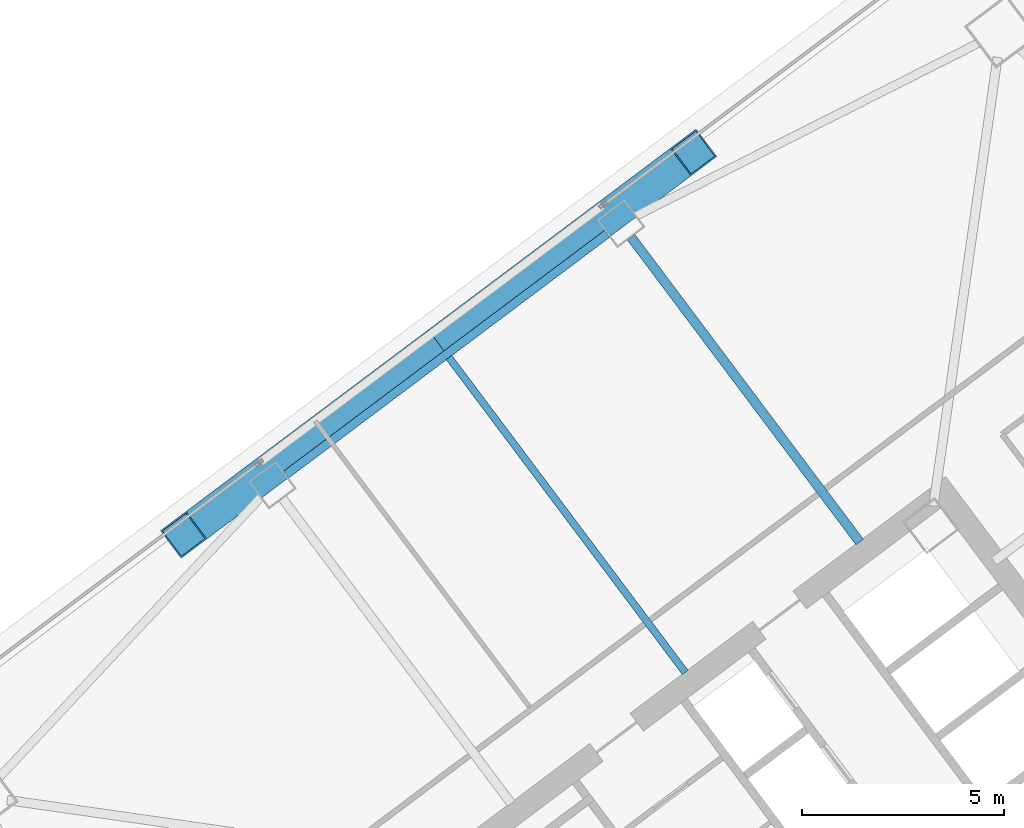
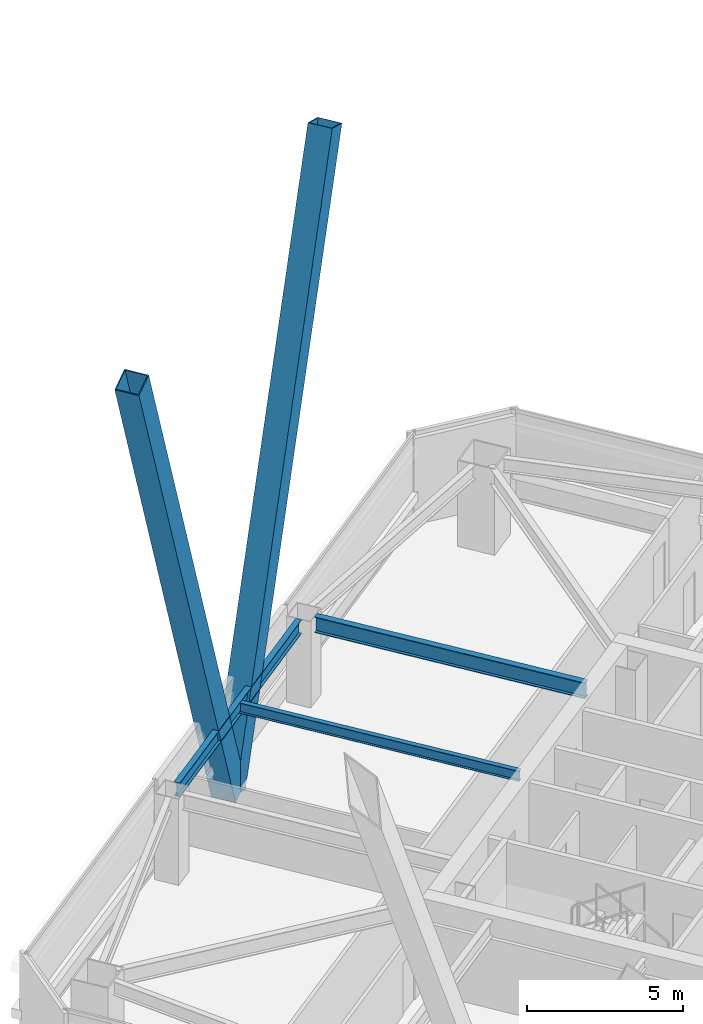
# One storey, part 34 of 50: 3 beams, 2 members.
"""IFC4 building model written with IfcOpenShell, lengths in metres."""

from ifc_helpers import new_model, si_unit, direction, frame, origin, origin_2d, place, context, subcontext, project, spatial, hollow_rectangle, i_section, extrude, material, material_profile, profile_set, type_object, element, save


model = new_model("IFC4")

# Units and contexts
model_context = context("Model", 3, precision=1e-05, world=origin(), true_north=direction((0.0, 1.0)))
body_context = subcontext(model_context, "Body", "Model", "MODEL_VIEW")
ifc_project = project(units=[si_unit("LENGTHUNIT", "METRE"), si_unit("AREAUNIT", "SQUARE_METRE"), si_unit("VOLUMEUNIT", "CUBIC_METRE"), si_unit("PLANEANGLEUNIT", "RADIAN"), si_unit("MASSUNIT", "GRAM", prefix="KILO")], contexts=[model_context])

# Site, building, storey
site_placement = place(None, origin())
site = spatial("IfcSite", under=ifc_project, at=site_placement, CompositionType="ELEMENT")
building_placement = place(site_placement, origin())
building = spatial("IfcBuilding", under=site, at=building_placement, Name="Tashvorn Skyway Center", CompositionType="ELEMENT")
storey_placement = place(building_placement, frame((0.0, 0.0, 114.39990234375)))
storey = spatial("IfcBuildingStorey", under=building, at=storey_placement, Name="L30", CompositionType="ELEMENT", Elevation=114.39990234375)

# Beams
ifc_material_1 = material(Name="Steel ASTM A992 Grade 50", Category="steel")
ifc_material_profile_1 = material_profile(ifc_material_1, i_section(OverallWidth=0.22998046875, OverallDepth=0.616943359375, WebThickness=0.01318359375, FlangeThickness=0.022216796875, at=origin_2d()), Name="W24X94")
ifc_profile_set_1 = profile_set([ifc_material_profile_1], Name="Steel ASTM A992 Grade 50")
beam_type_1 = type_object("IfcBeamType", Name="BM-BEAM-W24X94", PredefinedType="BEAM", material=ifc_profile_set_1)
beam_1_placement = place(storey_placement, frame((107.98193359375, 49.02392578125, 3.0615234375), z_axis=(0.600020667896, -0.799984498661, 0.0), x_axis=(0.799984498661, 0.600020667896, 0.0)))
element("IfcBeam", 1, at=beam_1_placement, inside=storey, type_object=beam_type_1, Name="Tower 2 L30 Primary Floor Girder FC-N1", PredefinedType="BEAM", context=body_context, shape_type="SweptSolid", body=[
    extrude(i_section(OverallWidth=0.22998046875, OverallDepth=0.616943359375, WebThickness=0.01318359375, FlangeThickness=0.022216796875, at=origin_2d()), origin(), (0.0, 0.0, 1.0), 9.449951171875),
])
ifc_material_profile_2 = material_profile(ifc_material_1, i_section(OverallWidth=0.177978515625, OverallDepth=0.406005859375, WebThickness=0.0078125, FlangeThickness=0.0126953125, at=origin_2d()), Name="W16X40")
ifc_profile_set_2 = profile_set([ifc_material_profile_2], Name="Steel ASTM A992 Grade 50")
beam_type_2 = type_object("IfcBeamType", Name="BM-JOIST-W16X40", PredefinedType="JOIST", material=ifc_profile_set_2)
beam_2_placement = place(storey_placement, frame((109.325927734375, 38.23193359375, 3.1669921875), z_axis=(-0.599991997409, 0.800006001881, 0.0), x_axis=(-0.800006001881, -0.599991997409, 0.0)))
element("IfcBeam", 2, at=beam_2_placement, inside=storey, type_object=beam_type_2, Name="Tower 2 L30 Secondary Composite Joist JN", PredefinedType="JOIST", context=body_context, shape_type="SweptSolid", body=[
    extrude(i_section(OverallWidth=0.177978515625, OverallDepth=0.406005859375, WebThickness=0.0078125, FlangeThickness=0.0126953125, at=origin_2d()), origin(), (0.0, 0.0, 1.0), 9.762451171875),
])
ifc_material_profile_3 = material_profile(ifc_material_1, i_section(OverallWidth=0.2109375, OverallDepth=0.5390625, WebThickness=0.01171875, FlangeThickness=0.018798828125, at=origin_2d()), Name="W21X73")
ifc_profile_set_3 = profile_set([ifc_material_profile_3], Name="Steel ASTM A992 Grade 50")
beam_type_3 = type_object("IfcBeamType", Name="BM-SPANDREL-W21X73", PredefinedType="SPANDREL", material=ifc_profile_set_3)
beam_3_placement = place(storey_placement, frame((107.39404296875, 49.10791015625, 3.1005859375), z_axis=(-0.800008824351, -0.599988234018, 0.0), x_axis=(0.599988234018, -0.800008824351, 0.0)))
element("IfcBeam", 3, at=beam_3_placement, inside=storey, type_object=beam_type_3, Name="Tower 2 L30 Spandrel Beam 08", PredefinedType="SPANDREL", context=body_context, shape_type="SweptSolid", body=[
    extrude(i_section(OverallWidth=0.2109375, OverallDepth=0.5390625, WebThickness=0.01171875, FlangeThickness=0.018798828125, at=origin_2d()), origin(), (0.0, 0.0, 1.0), 9.9599609375),
])

# Members
ifc_material_2 = material(Name="Steel ASTM A572 Grade 50", Category="steel")
ifc_material_profile_4 = material_profile(ifc_material_2, hollow_rectangle(XDim=0.85009765625, YDim=0.85009765625, WallThickness=0.034912109375, at=origin_2d()), Name="BOX850x850x35")
ifc_profile_set_4 = profile_set([ifc_material_profile_4], Name="Steel ASTM A572 Grade 50")
member_type = type_object("IfcMemberType", Name="MEM-MB-850", PredefinedType="BRACE", material=ifc_profile_set_4)
for number, where, z_axis, x_axis, name in (
    (4, (103.2119140625, 46.384033203125, -0.199951171875), (0.281095965158, 0.210819259224, 0.936237308759), (-0.599995055399, 0.800003708427, 0.0), "Tower 2 Zone 3 N Chevron Mega-Brace L1"),
    (5, (103.2119140625, 46.384033203125, -0.199951171875), (-0.281085964525, -0.210819902699, 0.936240166396), (0.600009889378, -0.799992582871, 0.0), "Tower 2 Zone 3 N Chevron Mega-Brace R1"),
):
    element("IfcMember", number, at=place(storey_placement, frame(where, z_axis=z_axis, x_axis=x_axis)), inside=storey, type_object=member_type, Name=name, PredefinedType="BRACE", context=body_context, shape_type="SweptSolid", body=[
        extrude(hollow_rectangle(XDim=0.85009765625, YDim=0.85009765625, WallThickness=0.034912109375, at=origin_2d()), origin(), (0.0, 0.0, 1.0), 22.483642578125),
    ])

save(model, "model.ifc")
